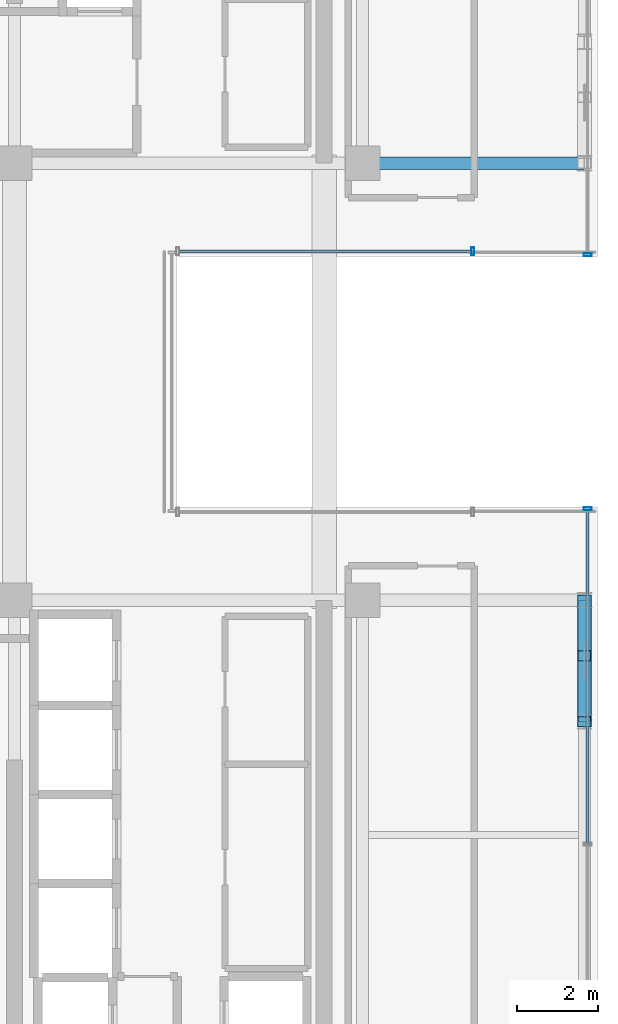
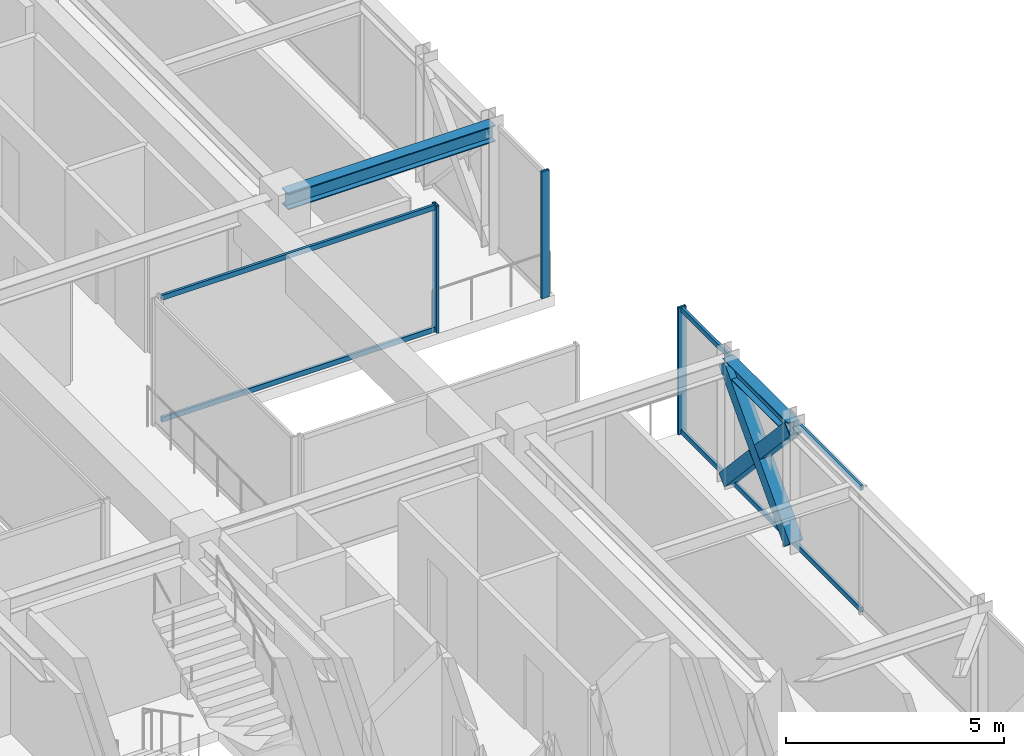
# One storey, part 20 of 37: 10 members, 2 beams, 3 elements without a shape of their own.
"""IFC4 building model written with IfcOpenShell, lengths in metres."""

from ifc_helpers import new_model, si_unit, direction, frame, origin, origin_2d, place, context, subcontext, project, spatial, hollow_rectangle, i_section, extrude, source, transform, mapped, material, material_profile, profile_set, type_object, element, aggregate, save


model = new_model("IFC4")

# Units and contexts
model_context = context("Model", 3, precision=1e-05, world=origin(), true_north=direction((0.0, 1.0)))
body_context = subcontext(model_context, "Body", "Model", "MODEL_VIEW")
ifc_project = project(units=[si_unit("LENGTHUNIT", "METRE"), si_unit("AREAUNIT", "SQUARE_METRE"), si_unit("VOLUMEUNIT", "CUBIC_METRE"), si_unit("PLANEANGLEUNIT", "RADIAN"), si_unit("MASSUNIT", "GRAM", prefix="KILO")], contexts=[model_context])

# Site, building, storey
site_placement = place(None, origin())
site = spatial("IfcSite", under=ifc_project, at=site_placement, CompositionType="ELEMENT")
building_placement = place(site_placement, origin())
building = spatial("IfcBuilding", under=site, at=building_placement, Name="Nahalor Promenade Grand Hotel", CompositionType="ELEMENT")
storey_placement = place(building_placement, frame((0.0, 0.0, 292.64990234375)))
storey = spatial("IfcBuildingStorey", under=building, at=storey_placement, Name="L75", CompositionType="ELEMENT", Elevation=292.64990234375)

# Beams
ifc_material_1 = material(Name="Steel S355JR", Category="steel")
ifc_material_profile_1 = material_profile(ifc_material_1, i_section(OverallWidth=0.3, OverallDepth=0.45, WebThickness=0.014, FlangeThickness=0.026, at=origin_2d()), Name="HEB 450")
ifc_profile_set_1 = profile_set([ifc_material_profile_1], Name="Steel S355JR")
beam_type_1 = type_object("IfcBeamType", Name="Beam-Girder-HEB450", PredefinedType="BEAM", material=ifc_profile_set_1)
shared_shape_1 = source(origin(), body_context, "Body", "SweptSolid", [
    extrude(i_section(OverallWidth=0.3, OverallDepth=0.45, WebThickness=0.014, FlangeThickness=0.026, at=origin_2d()), origin(), (0.0, 0.0, 1.0), 5.47998046875),
])
beam_1_placement = place(storey_placement, frame((17.0, 5.39990234375, 3.3251953125), z_axis=(1.0, 0.0, 0.0), x_axis=(0.0, 1.0, 0.0)))
element("IfcBeam", 1, at=beam_1_placement, inside=storey, type_object=beam_type_1, Name="BM-L75-GX-2-6", PredefinedType="BEAM", context=body_context, shape_type="MappedRepresentation", body=[
    mapped(shared_shape_1, transform((0.0, 0.0, 0.0), scale=1.0)),
])
ifc_material_profile_2 = material_profile(ifc_material_1, i_section(OverallWidth=0.3, OverallDepth=0.36, WebThickness=0.0125, FlangeThickness=0.0225, at=origin_2d()), Name="HEB 360")
ifc_profile_set_2 = profile_set([ifc_material_profile_2], Name="Steel S355JR")
beam_type_2 = type_object("IfcBeamType", Name="Beam-Spandrel-HEB360", PredefinedType="SPANDREL", material=ifc_profile_set_2)
shared_shape_2 = source(origin(), body_context, "Body", "SweptSolid", [
    extrude(i_section(OverallWidth=0.3, OverallDepth=0.36, WebThickness=0.0125, FlangeThickness=0.0225, at=origin_2d()), origin(), (0.0, 0.0, 1.0), 3.0),
])
beam_2_placement = place(storey_placement, frame((22.47998046875, -8.39990234375, 3.3701171875), z_axis=(0.0, 1.0, 0.0), x_axis=(-1.0, 0.0, 0.0)))
element("IfcBeam", 2, at=beam_2_placement, inside=storey, type_object=beam_type_2, Name="BM-L75-SP-E-1", PredefinedType="SPANDREL", context=body_context, shape_type="MappedRepresentation", body=[
    mapped(shared_shape_2, transform((0.0, 0.0, 0.0), scale=1.0)),
])

# Members
ifc_material_profile_3 = material_profile(ifc_material_1, hollow_rectangle(XDim=0.35, YDim=0.35, WallThickness=0.02, at=origin_2d()), Name="SHS 350x350x20")
ifc_profile_set_3 = profile_set([ifc_material_profile_3], Name="Steel S355JR")
member_type_1 = type_object("IfcMemberType", Name="Mem-VoidBrace-SHS350", PredefinedType="BRACE", material=ifc_profile_set_3)
shared_shape_3 = source(origin(), body_context, "Body", "SweptSolid", [
    extrude(hollow_rectangle(XDim=0.35, YDim=0.35, WallThickness=0.02, at=origin_2d()), origin(), (0.0, 0.0, 1.0), 4.4228515625),
])
member_1_placement = place(storey_placement, frame((22.47998046875, -8.39990234375, 0.150146484375), z_axis=(0.0, 0.678280102733, 0.734803444627), x_axis=(-1.0, 0.0, 0.0)))
element("IfcMember", 3, at=member_1_placement, inside=storey, type_object=member_type_1, Name="EXO-L75-VX1-E0", PredefinedType="BRACE", context=body_context, shape_type="MappedRepresentation", body=[
    mapped(shared_shape_3, transform((0.0, 0.0, 0.0), scale=1.0)),
])
shared_shape_4 = source(origin(), body_context, "Body", "SweptSolid", [
    extrude(hollow_rectangle(XDim=0.35, YDim=0.35, WallThickness=0.02, at=origin_2d()), origin(), (0.0, 0.0, 1.0), 2.02392578125),
])
for number, where, z_axis, x_axis, name in (
    (4, (22.47998046875, -5.39990234375, 0.150146484375), (0.0, -0.678315173958, 0.734771069639), (1.0, 0.0, 0.0), "EXO-L75-VX2-E0A"),
    (5, (22.47998046875, -7.027099609375, 1.912841796875), (0.0, -0.678255053132, 0.734826566545), (1.0, 0.0, 0.0), "EXO-L75-VX2-E0B"),
):
    element("IfcMember", number, at=place(storey_placement, frame(where, z_axis=z_axis, x_axis=x_axis)), inside=storey, type_object=member_type_1, Name=name, PredefinedType="BRACE", context=body_context, shape_type="MappedRepresentation", body=[
        mapped(shared_shape_4, transform((0.0, 0.0, 0.0), scale=1.0)),
    ])

# Curtain wall, members
ifc_material_2 = material(Name="Anodised Bronze Aluminium EN AW-6063 T6", Category="aluminium")
curtain_wall_type = type_object("IfcCurtainWallType", Name="CW3 Elliptical-Void Collar Unitised Curtain Wall", PredefinedType="USERDEFINED", material=ifc_material_2)
curtain_wall_1_placement = place(storey_placement, origin())
curtain_wall_1 = element("IfcCurtainWall", 6, at=curtain_wall_1_placement, inside=storey, type_object=curtain_wall_type, Name="L75 Curtain Wall CW-L75-VOID-EN1", ObjectType="UNITISED_CURTAIN_WALL", PredefinedType="USERDEFINED")
ifc_material_profile_4 = material_profile(ifc_material_2, hollow_rectangle(XDim=0.07, YDim=0.14, WallThickness=0.004, at=origin_2d()), Name="CWT 70x140x4")
ifc_profile_set_4 = profile_set([ifc_material_profile_4], Name="Anodised Bronze Aluminium EN AW-6063 T6")
member_type_2 = type_object("IfcMemberType", Name="CWT3 Void Collar Transom 70x140", PredefinedType="USERDEFINED", material=ifc_profile_set_4)
shared_shape_5 = source(origin(), body_context, "Body", "SweptSolid", [
    extrude(hollow_rectangle(XDim=0.07, YDim=0.14, WallThickness=0.004, at=origin_2d()), origin(), (0.0, 0.0, 1.0), 7.219970703125),
])
member_2_placement = place(storey_placement, frame((12.469970703125, 3.219970703125, 0.070068359375), z_axis=(1.0, 0.0, 0.0), x_axis=(0.0, 1.0, 0.0)))
member_2 = element("IfcMember", 7, at=member_2_placement, type_object=member_type_2, Name="CW-L75-VOID-EN1 Transom 0-0", ObjectType="TRANSOM", PredefinedType="USERDEFINED", context=body_context, shape_type="MappedRepresentation", body=[
    mapped(shared_shape_5, transform((0.0, 0.0, 0.0), scale=1.0)),
])
member_3_placement = place(storey_placement, frame((12.469970703125, 3.219970703125, 3.47998046875), z_axis=(1.0, 0.0, 0.0), x_axis=(0.0, 1.0, 0.0)))
member_3 = element("IfcMember", 8, at=member_3_placement, type_object=member_type_2, Name="CW-L75-VOID-EN1 Transom 0-1", ObjectType="TRANSOM", PredefinedType="USERDEFINED", context=body_context, shape_type="MappedRepresentation", body=[
    mapped(shared_shape_5, transform((0.0, 0.0, 0.0), scale=1.0)),
])

curtain_wall_2_placement = place(storey_placement, origin())
curtain_wall_2 = element("IfcCurtainWall", 9, at=curtain_wall_2_placement, inside=storey, type_object=curtain_wall_type, Name="L75 Curtain Wall CW-L75-E-1", ObjectType="UNITISED_CURTAIN_WALL", PredefinedType="USERDEFINED")
shared_shape_6 = source(origin(), body_context, "Body", "SweptSolid", [
    extrude(hollow_rectangle(XDim=0.07, YDim=0.14, WallThickness=0.004, at=origin_2d()), origin(), (0.0, 0.0, 1.0), 8.22509765625),
])
member_4_placement = place(storey_placement, frame((22.56005859375, -11.39501953125, 0.070068359375), z_axis=(0.0, 1.0, 0.0), x_axis=(-1.0, 0.0, 0.0)))
member_4 = element("IfcMember", 10, at=member_4_placement, type_object=member_type_2, Name="CW-L75-E-1 Transom 1-0", ObjectType="TRANSOM", PredefinedType="USERDEFINED", context=body_context, shape_type="MappedRepresentation", body=[
    mapped(shared_shape_6, transform((0.0, 0.0, 0.0), scale=1.0)),
])
member_5_placement = place(storey_placement, frame((22.56005859375, -11.39501953125, 3.47998046875), z_axis=(0.0, 1.0, 0.0), x_axis=(-1.0, 0.0, 0.0)))
member_5 = element("IfcMember", 11, at=member_5_placement, type_object=member_type_2, Name="CW-L75-E-1 Transom 1-1", ObjectType="TRANSOM", PredefinedType="USERDEFINED", context=body_context, shape_type="MappedRepresentation", body=[
    mapped(shared_shape_6, transform((0.0, 0.0, 0.0), scale=1.0)),
])
ifc_material_profile_5 = material_profile(ifc_material_2, hollow_rectangle(XDim=0.07, YDim=0.2, WallThickness=0.005, at=origin_2d()), Name="CWM 70x200x5")
ifc_profile_set_5 = profile_set([ifc_material_profile_5], Name="Anodised Bronze Aluminium EN AW-6063 T6")
member_type_3 = type_object("IfcMemberType", Name="CWM3 Void Collar Mullion 70x200", PredefinedType="MULLION", material=ifc_profile_set_5)
shared_shape_7 = source(origin(), body_context, "Body", "SweptSolid", [
    extrude(hollow_rectangle(XDim=0.07, YDim=0.2, WallThickness=0.005, at=origin_2d()), origin(), (0.0, 0.0, 1.0), 3.550048828125),
])
member_6_placement = place(storey_placement, frame((22.56005859375, -3.135009765625, 0.0), z_axis=(0.0, 0.0, 1.0), x_axis=(0.0, 1.0, 0.0)))
member_6 = element("IfcMember", 12, at=member_6_placement, type_object=member_type_3, Name="CW-L75-E-1 Mullion 2", PredefinedType="MULLION", context=body_context, shape_type="MappedRepresentation", body=[
    mapped(shared_shape_7, transform((0.0, 0.0, 0.0), scale=1.0)),
])
aggregate(curtain_wall_2, [member_6, member_4, member_5])

# Curtain wall, member
curtain_wall_3_placement = place(storey_placement, origin())
curtain_wall_3 = element("IfcCurtainWall", 13, at=curtain_wall_3_placement, inside=storey, type_object=curtain_wall_type, Name="L75 Curtain Wall CW-L75-E-2", ObjectType="UNITISED_CURTAIN_WALL", PredefinedType="USERDEFINED")
member_7_placement = place(storey_placement, frame((22.56005859375, 3.135009765625, 0.0), z_axis=(0.0, 0.0, 1.0), x_axis=(0.0, 1.0, 0.0)))
member_7 = element("IfcMember", 14, at=member_7_placement, type_object=member_type_3, Name="CW-L75-E-2 Mullion 0", PredefinedType="MULLION", context=body_context, shape_type="MappedRepresentation", body=[
    mapped(shared_shape_7, transform((0.0, 0.0, 0.0), scale=1.0)),
])
aggregate(curtain_wall_3, [member_7])

# Member
member_8_placement = place(storey_placement, frame((19.72509765625, 3.219970703125, 0.0), z_axis=(0.0, 0.0, 1.0), x_axis=(1.0, 0.0, 0.0)))
member_8 = element("IfcMember", 15, at=member_8_placement, type_object=member_type_3, Name="CW-L75-VOID-EN1 Mullion 1", PredefinedType="MULLION", context=body_context, shape_type="MappedRepresentation", body=[
    mapped(shared_shape_7, transform((0.0, 0.0, 0.0), scale=1.0)),
])

aggregate(curtain_wall_1, [member_8, member_2, member_3])

save(model, "model.ifc")
